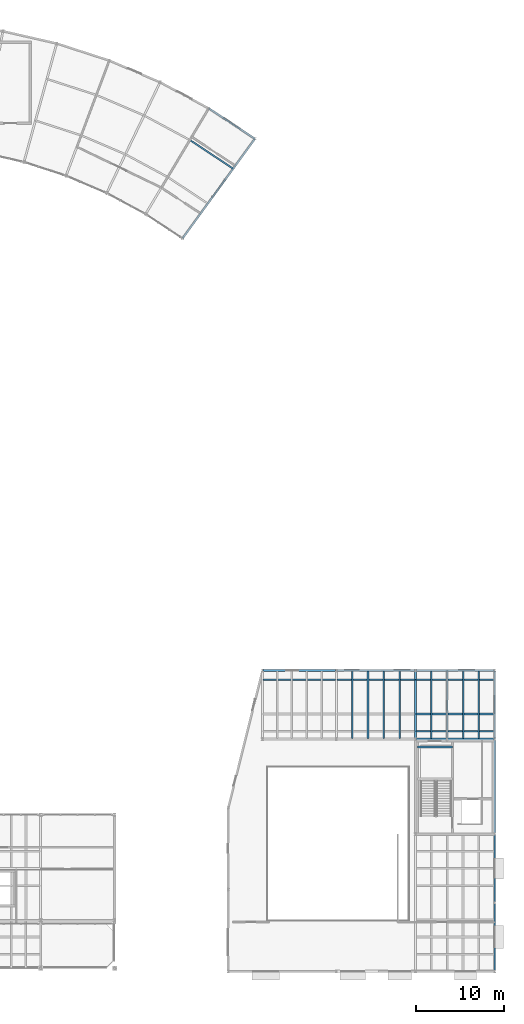
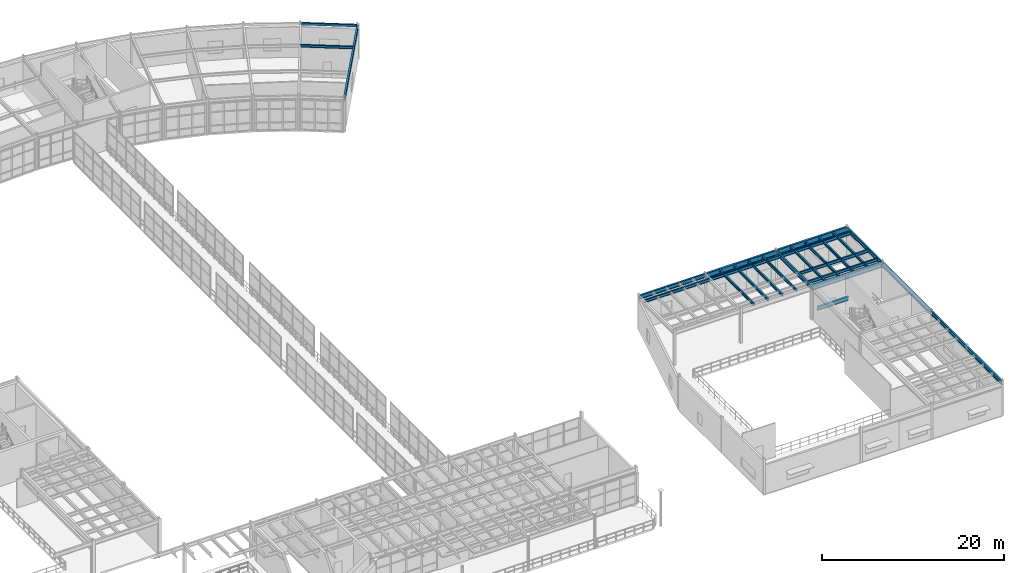
# One storey, part 71 of 105: 26 beams.
"""IFC4 building model written with IfcOpenShell, lengths in metres."""

import ifcopenshell
import ifcopenshell.guid

model = None  # the IFC model being written
_history = None  # IfcOwnerHistory: only IFC2X3 demands one
_inside = {}  # id of a spatial element -> (the spatial element, [elements in it])
_under = {}  # id of a project, library or spatial element -> (it, [spatial elements below it])
_declared = {}  # id of a project -> (the project, [libraries it declares])
_typed = {}  # id of a type object -> (the type object, [elements of that type])
_made_of = {}  # id of a material, layer set ... -> (it, [elements and type objects made of it])


def new_model(schema):
    """Start an empty IFC model of exactly this schema.

    Asked for "IFC4X3", IfcOpenShell would pick the latest addendum, in which some entities
    have other attributes; the version numbers below select the first issue.
    IFC2X3 requires an IfcOwnerHistory on every rooted entity: one is made here for all.
    """
    global model, _history
    if schema == "IFC4X3":
        model = ifcopenshell.file(schema_version=(4, 3, 0, 0))
    else:
        model = ifcopenshell.file(schema=schema)
    _inside.clear()
    _under.clear()
    _declared.clear()
    _typed.clear()
    _made_of.clear()
    _history = None
    if model.schema == "IFC2X3":
        org = make("IfcOrganization", Name="unknown")
        user = make(
            "IfcPersonAndOrganization",
            ThePerson=make("IfcPerson", FamilyName="unknown"),
            TheOrganization=org,
        )
        app = make(
            "IfcApplication",
            ApplicationDeveloper=org,
            Version="unknown",
            ApplicationFullName="unknown",
            ApplicationIdentifier="unknown",
        )
        _history = make(
            "IfcOwnerHistory",
            OwningUser=user,
            OwningApplication=app,
            ChangeAction="ADDED",
            CreationDate=0,
        )
    return model


def make(cls, **values):
    """One entity of the class cls with the attributes given. An attribute that is None is left unset."""
    return model.create_entity(
        cls, **{name: value for name, value in values.items() if value is not None}
    )


def rooted(cls, **values):
    """An entity with a GlobalId (a new one), such as an element, a storey or a relation."""
    return make(cls, GlobalId=ifcopenshell.guid.new(), OwnerHistory=_history, **values)


def si_unit(unit_type, name, prefix=None):
    """IfcSIUnit, for example si_unit("LENGTHUNIT", "METRE", prefix="MILLI")."""
    return make("IfcSIUnit", UnitType=unit_type, Prefix=prefix, Name=name)


def assignment(units):
    """IfcUnitAssignment: the units of a project."""
    return None if units is None else make("IfcUnitAssignment", Units=units)


def point(xyz):
    """IfcCartesianPoint."""
    return None if xyz is None else make("IfcCartesianPoint", Coordinates=xyz)


def direction(xyz):
    """IfcDirection."""
    return None if xyz is None else make("IfcDirection", DirectionRatios=xyz)


def frame(location, z_axis=None, x_axis=None):
    """IfcAxis2Placement3D, a coordinate frame: its origin and axes. An axis left out is left unset."""
    return make(
        "IfcAxis2Placement3D",
        Location=point(location),
        Axis=direction(z_axis),
        RefDirection=direction(x_axis),
    )


def frame_2d(location, x_axis=None):
    """IfcAxis2Placement2D, a coordinate frame in the plane: its origin and x axis."""
    return make(
        "IfcAxis2Placement2D", Location=point(location), RefDirection=direction(x_axis)
    )


def origin():
    """The frame at (0, 0, 0) with its axes left unset."""
    return frame((0.0, 0.0, 0.0))


def origin_2d():
    """The frame at (0, 0) in the plane with its x axis left unset."""
    return frame_2d((0.0, 0.0))


def place(relative_to, where):
    """IfcLocalPlacement: puts the frame where relative to a parent placement (None: the world)."""
    return make(
        "IfcLocalPlacement", PlacementRelTo=relative_to, RelativePlacement=where
    )


def context(
    kind, dimensions, precision=None, world=None, true_north=None, identifier=None
):
    """IfcGeometricRepresentationContext, for example the 3D "Model" context."""
    return make(
        "IfcGeometricRepresentationContext",
        ContextIdentifier=identifier,
        ContextType=kind,
        CoordinateSpaceDimension=dimensions,
        Precision=precision,
        WorldCoordinateSystem=world,
        TrueNorth=true_north,
    )


def subcontext(parent, identifier, kind, view, scale=None):
    """IfcGeometricRepresentationSubContext, for example "Body" below "Model"."""
    return make(
        "IfcGeometricRepresentationSubContext",
        ContextIdentifier=identifier,
        ContextType=kind,
        ParentContext=parent,
        TargetScale=scale,
        TargetView=view,
    )


def project(units=None, contexts=None):
    """IfcProject with its units and contexts."""
    return rooted(
        "IfcProject",
        Name="project",
        RepresentationContexts=contexts,
        UnitsInContext=assignment(units),
    )


def spatial(cls, under=None, at=None, **own):
    """A site, building, storey or space (cls), placed at a placement, below another one or the project."""
    s = rooted(cls, ObjectPlacement=at, **own)
    if under is not None:
        _under.setdefault(under.id(), (under, []))[1].append(s)
    return s


def profile(cls, at=None, kind="AREA", **sizes):
    """A parametric profile (cls). Its sizes go by their IFC names, for example OverallWidth=200.0."""
    return make(cls, ProfileType=kind, Position=at, **sizes)


def hollow_rectangle(**sizes):
    """IfcRectangleHollowProfileDef."""
    return profile("IfcRectangleHollowProfileDef", **sizes)


def i_section(**sizes):
    """IfcIShapeProfileDef."""
    return profile("IfcIShapeProfileDef", **sizes)


def extrude(swept, where, along, depth):
    """IfcExtrudedAreaSolid: the profile swept, set in the frame where, extruded along a direction by depth."""
    return make(
        "IfcExtrudedAreaSolid",
        SweptArea=swept,
        Position=where,
        ExtrudedDirection=direction(along),
        Depth=depth,
    )


def shape(context_of_items, identifier, shape_type, items):
    """IfcShapeRepresentation: the items that make up one representation, for example the "Body"."""
    return make(
        "IfcShapeRepresentation",
        ContextOfItems=context_of_items,
        RepresentationIdentifier=identifier,
        RepresentationType=shape_type,
        Items=items,
    )


def material(Name=None, Category=None):
    """IfcMaterial."""
    return make("IfcMaterial", Name=Name, Category=Category)


def material_profile(
    of_material, cross_section, Name=None, Category=None, Priority=None
):
    """IfcMaterialProfile: a cross section and its material."""
    return make(
        "IfcMaterialProfile",
        Name=Name,
        Material=of_material,
        Profile=cross_section,
        Priority=Priority,
        Category=Category,
    )


def profile_set(profiles, Name=None, composite=None):
    """IfcMaterialProfileSet."""
    return make(
        "IfcMaterialProfileSet",
        Name=Name,
        MaterialProfiles=profiles,
        CompositeProfile=composite,
    )


def made_of(thing, what):
    """Note that an element or type object is made of a material, layer set ...; save() writes the relation."""
    if what is not None:
        _made_of.setdefault(what.id(), (what, []))[1].append(thing)
    return thing


def type_object(cls, material=None, **own):
    """A type object (cls), such as IfcWallType, which elements share."""
    return made_of(rooted(cls, **own), material)


def element(
    cls,
    number,
    at=None,
    inside=None,
    cuts=None,
    type_object=None,
    material=None,
    context=None,
    identifier="Body",
    shape_type=None,
    held_by="IfcProductDefinitionShape",
    body=None,
    shapes=None,
    **own,
):
    """One element of the class cls, such as IfcWall. Its Tag is "e" and its number.

    at: its placement. inside: the storey or other place that contains it. cuts: it is an
    opening in that element (IfcRelVoidsElement). A single representation is given by context,
    identifier, shape_type and body (its items); several are given by shapes. held_by: the class
    of the entity that holds the representations. save() writes the other relations.
    """
    e = rooted(cls, Tag="e%d" % number, ObjectPlacement=at, **own)
    if body is not None:
        shapes = [shape(context, identifier, shape_type, body)]
    if shapes is not None:
        e.Representation = make(held_by, Representations=shapes)
    if inside is not None:
        _inside.setdefault(inside.id(), (inside, []))[1].append(e)
    if cuts is not None:
        rooted(
            "IfcRelVoidsElement", RelatingBuildingElement=cuts, RelatedOpeningElement=e
        )
    if type_object is not None:
        _typed.setdefault(type_object.id(), (type_object, []))[1].append(e)
    return made_of(e, material)


def aggregate(whole, parts):
    """IfcRelAggregates: a whole, such as a stair, and the parts it consists of."""
    return rooted("IfcRelAggregates", RelatingObject=whole, RelatedObjects=parts)


def save(model, path):
    """Write the relations noted so far, then the file.

    IfcRelAggregates (storeys below a building ...), IfcRelContainedInSpatialStructure (elements
    in a storey), IfcRelDefinesByType, IfcRelAssociatesMaterial and IfcRelDeclares: one each for
    every whole, place, type object, material and project.
    """
    for whole, parts in _under.values():
        aggregate(whole, parts)
    for where, things in _inside.values():
        rooted(
            "IfcRelContainedInSpatialStructure",
            RelatedElements=things,
            RelatingStructure=where,
        )
    for kind, things in _typed.values():
        rooted("IfcRelDefinesByType", RelatedObjects=things, RelatingType=kind)
    for what, things in _made_of.values():
        rooted("IfcRelAssociatesMaterial", RelatedObjects=things, RelatingMaterial=what)
    for by, libraries in _declared.values():
        rooted("IfcRelDeclares", RelatingContext=by, RelatedDefinitions=libraries)
    model.write(path)


model = new_model("IFC4")

# Units and contexts
model_context = context("Model", 3, precision=1e-05, world=origin(), true_north=direction((0.0, 1.0)))
body_context = subcontext(model_context, "Body", "Model", "MODEL_VIEW")
ifc_project = project(units=[si_unit("LENGTHUNIT", "METRE"), si_unit("AREAUNIT", "SQUARE_METRE"), si_unit("VOLUMEUNIT", "CUBIC_METRE"), si_unit("PLANEANGLEUNIT", "RADIAN"), si_unit("MASSUNIT", "GRAM", prefix="KILO")], contexts=[model_context])

# Site, building, storey
site_placement = place(None, origin())
site = spatial("IfcSite", under=ifc_project, at=site_placement, CompositionType="ELEMENT")
building_placement = place(site_placement, origin())
building = spatial("IfcBuilding", under=site, at=building_placement, Name="Selat Folded Stagehouse", CompositionType="ELEMENT")
storey_placement = place(building_placement, frame((0.0, 0.0, 10.199951171875)))
storey = spatial("IfcBuildingStorey", under=building, at=storey_placement, Name="L02", CompositionType="ELEMENT", Elevation=10.199951171875)

# Beams
ifc_material = material(Name="Steel S355", Category="steel")
ifc_material_profile_1 = material_profile(ifc_material, i_section(OverallWidth=0.210693359375, OverallDepth=0.53955078125, WebThickness=0.01171875, FlangeThickness=0.018798828125, FilletRadius=0.0126953125, at=origin_2d()), Name="UKB 533x210x109")
ifc_profile_set_1 = profile_set([ifc_material_profile_1], Name="Steel S355")
beam_type_1 = type_object("IfcBeamType", Name="BM-GIRD-533x210x109", PredefinedType="BEAM", material=ifc_profile_set_1)
beam_1_placement = place(storey_placement, frame((151.800048828125, 26.466796875, 4.310302734375), z_axis=(0.0, 1.0, 0.0), x_axis=(-1.0, 0.0, 0.0)))
element("IfcBeam", 1, at=beam_1_placement, inside=storey, type_object=beam_type_1, Name="L02 primary y-girder 1075", PredefinedType="BEAM", context=body_context, shape_type="SweptSolid", body=[
    extrude(i_section(OverallWidth=0.210693359375, OverallDepth=0.53955078125, WebThickness=0.01171875, FlangeThickness=0.018798828125, FilletRadius=0.0126953125, at=origin_2d()), origin(), (0.0, 0.0, 1.0), 7.66650390625),
])
beam_2_placement = place(storey_placement, frame((160.800048828125, 0.066650390625, 4.310302734375), z_axis=(0.0, 1.0, 0.0), x_axis=(-1.0, 0.0, 0.0)))
element("IfcBeam", 2, at=beam_2_placement, inside=storey, type_object=beam_type_1, Name="L02 primary y-girder 1076", PredefinedType="BEAM", context=body_context, shape_type="SweptSolid", body=[
    extrude(i_section(OverallWidth=0.210693359375, OverallDepth=0.53955078125, WebThickness=0.01171875, FlangeThickness=0.018798828125, FilletRadius=0.0126953125, at=origin_2d()), origin(), (0.0, 0.0, 1.0), 7.666748046875),
])
for number, where, z_axis, x_axis, name in (
    (3, (160.800048828125, 7.86669921875, 4.310302734375), (0.0, 1.0, 0.0), (-1.0, 0.0, 0.0), "L02 primary y-girder 1077"),
    (4, (160.800048828125, 26.466796875, 4.310302734375), (0.0, 1.0, 0.0), (-1.0, 0.0, 0.0), "L02 primary y-girder 1079"),
):
    element("IfcBeam", number, at=place(storey_placement, frame(where, z_axis=z_axis, x_axis=x_axis)), inside=storey, type_object=beam_type_1, Name=name, PredefinedType="BEAM", context=body_context, shape_type="SweptSolid", body=[
        extrude(i_section(OverallWidth=0.210693359375, OverallDepth=0.53955078125, WebThickness=0.01171875, FlangeThickness=0.018798828125, FilletRadius=0.0126953125, at=origin_2d()), origin(), (0.0, 0.0, 1.0), 7.66650390625),
    ])
ifc_material_profile_2 = material_profile(ifc_material, i_section(OverallWidth=0.209228515625, OverallDepth=0.533203125, WebThickness=0.010009765625, FlangeThickness=0.015625, FilletRadius=0.0126953125, at=origin_2d()), Name="UKB 533x210x92")
ifc_profile_set_2 = profile_set([ifc_material_profile_2], Name="Steel S355")
beam_type_2 = type_object("IfcBeamType", Name="BM-GIRD-533x210x92", PredefinedType="BEAM", material=ifc_profile_set_2)
beam_3_placement = place(storey_placement, frame((134.466796875, 34.199951171875, 4.3134765625), z_axis=(1.0, 0.0, 0.0), x_axis=(0.0, 1.0, 0.0)))
element("IfcBeam", 5, at=beam_3_placement, inside=storey, type_object=beam_type_2, Name="L02 primary x-girder 1017", PredefinedType="BEAM", context=body_context, shape_type="SweptSolid", body=[
    extrude(i_section(OverallWidth=0.209228515625, OverallDepth=0.533203125, WebThickness=0.010009765625, FlangeThickness=0.015625, FilletRadius=0.0126953125, at=origin_2d()), origin(), (0.0, 0.0, 1.0), 8.2666015625),
])
beam_4_placement = place(storey_placement, frame((125.31591796875, 83.304931640625, 4.33349609375), z_axis=(0.587787980643, 0.809015012105, 0.0), x_axis=(-0.809015012105, 0.587787980643, 0.0)))
element("IfcBeam", 6, at=beam_4_placement, inside=storey, type_object=beam_type_2, Name="L02 curved rehearsal radial girder 15", PredefinedType="BEAM", context=body_context, shape_type="SweptSolid", body=[
    extrude(i_section(OverallWidth=0.209228515625, OverallDepth=0.533203125, WebThickness=0.010009765625, FlangeThickness=0.015625, FilletRadius=0.0126953125, at=origin_2d()), origin(), (0.0, 0.0, 1.0), 14.0),
])
beam_5_placement = place(storey_placement, frame((152.0, 25.5, 1.933349609375), z_axis=(1.0, 0.0, 0.0), x_axis=(0.0, 1.0, 0.0)))
element("IfcBeam", 7, at=beam_5_placement, inside=storey, type_object=beam_type_2, Name="L02 ST-04 landing support beam 2", PredefinedType="BEAM", context=body_context, shape_type="SweptSolid", body=[
    extrude(i_section(OverallWidth=0.209228515625, OverallDepth=0.533203125, WebThickness=0.010009765625, FlangeThickness=0.015625, FilletRadius=0.0126953125, at=origin_2d()), origin(), (0.0, 0.0, 1.0), 4.02001953125),
])
ifc_material_profile_3 = material_profile(ifc_material, i_section(OverallWidth=0.230224609375, OverallDepth=0.6171875, WebThickness=0.01318359375, FlangeThickness=0.022216796875, FilletRadius=0.0126953125, at=origin_2d()), Name="UKB 610x229x140")
ifc_profile_set_3 = profile_set([ifc_material_profile_3], Name="Steel S355")
beam_type_3 = type_object("IfcBeamType", Name="BM-GIRD-610x229x140", PredefinedType="BEAM", material=ifc_profile_set_3)
beam_6_placement = place(storey_placement, frame((160.800048828125, 15.666748046875, 4.271484375), z_axis=(0.0, 1.0, 0.0), x_axis=(-1.0, 0.0, 0.0)))
element("IfcBeam", 8, at=beam_6_placement, inside=storey, type_object=beam_type_3, Name="L02 primary y-girder 1078", PredefinedType="BEAM", context=body_context, shape_type="SweptSolid", body=[
    extrude(i_section(OverallWidth=0.230224609375, OverallDepth=0.6171875, WebThickness=0.01318359375, FlangeThickness=0.022216796875, FilletRadius=0.0126953125, at=origin_2d()), origin(), (0.0, 0.0, 1.0), 10.66650390625),
])
ifc_material_profile_4 = material_profile(ifc_material, i_section(OverallWidth=0.253662109375, OverallDepth=0.68359375, WebThickness=0.012451171875, FlangeThickness=0.01904296875, FilletRadius=0.01513671875, at=origin_2d()), Name="UKB 686x254x140")
ifc_profile_set_4 = profile_set([ifc_material_profile_4], Name="Steel S355")
beam_type_4 = type_object("IfcBeamType", Name="BM-GIRD-686x254x140", PredefinedType="BEAM", material=ifc_profile_set_4)
for number, where, z_axis, x_axis, name in (
    (9, (151.86669921875, 26.39990234375, 4.23828125), (1.0, 0.0, 0.0), (0.0, 1.0, 0.0), "L02 primary x-girder 1016"),
    (10, (142.86669921875, 34.199951171875, 4.23828125), (1.0, 0.0, 0.0), (0.0, 1.0, 0.0), "L02 primary x-girder 1018"),
    (11, (151.86669921875, 34.199951171875, 4.23828125), (1.0, 0.0, 0.0), (0.0, 1.0, 0.0), "L02 primary x-girder 1019"),
):
    element("IfcBeam", number, at=place(storey_placement, frame(where, z_axis=z_axis, x_axis=x_axis)), inside=storey, type_object=beam_type_4, Name=name, PredefinedType="BEAM", context=body_context, shape_type="SweptSolid", body=[
        extrude(i_section(OverallWidth=0.253662109375, OverallDepth=0.68359375, WebThickness=0.012451171875, FlangeThickness=0.01904296875, FilletRadius=0.01513671875, at=origin_2d()), origin(), (0.0, 0.0, 1.0), 8.86669921875),
    ])
ifc_material_profile_5 = material_profile(ifc_material, i_section(OverallWidth=0.17138671875, OverallDepth=0.35498046875, WebThickness=0.00732421875, FlangeThickness=0.011474609375, FilletRadius=0.01025390625, at=origin_2d()), Name="UKB 356x171x51")
ifc_profile_set_5 = profile_set([ifc_material_profile_5], Name="Steel S355")
beam_type_5 = type_object("IfcBeamType", Name="JST-356x171x51", PredefinedType="JOIST", material=ifc_profile_set_5)
for number, where, z_axis, x_axis, name in (
    (12, (144.60009765625, 26.48876953125, 4.402587890625), (0.0, 1.0, 0.0), (-1.0, 0.0, 0.0), "L02 secondary floor joist 1187"),
    (13, (146.39990234375, 26.48876953125, 4.402587890625), (0.0, 1.0, 0.0), (-1.0, 0.0, 0.0), "L02 secondary floor joist 1188"),
    (14, (148.199951171875, 26.48876953125, 4.402587890625), (0.0, 1.0, 0.0), (-1.0, 0.0, 0.0), "L02 secondary floor joist 1189"),
    (15, (150.0, 26.48876953125, 4.402587890625), (0.0, 1.0, 0.0), (-1.0, 0.0, 0.0), "L02 secondary floor joist 1190"),
    (16, (153.60009765625, 26.48876953125, 4.402587890625), (0.0, 1.0, 0.0), (-1.0, 0.0, 0.0), "L02 secondary floor joist 1192"),
    (17, (155.39990234375, 26.48876953125, 4.402587890625), (0.0, 1.0, 0.0), (-1.0, 0.0, 0.0), "L02 secondary floor joist 1194"),
    (18, (157.199951171875, 26.48876953125, 4.402587890625), (0.0, 1.0, 0.0), (-1.0, 0.0, 0.0), "L02 secondary floor joist 1196"),
    (19, (159.0, 26.48876953125, 4.402587890625), (0.0, 1.0, 0.0), (-1.0, 0.0, 0.0), "L02 secondary floor joist 1198"),
):
    element("IfcBeam", number, at=place(storey_placement, frame(where, z_axis=z_axis, x_axis=x_axis)), inside=storey, type_object=beam_type_5, Name=name, PredefinedType="JOIST", context=body_context, shape_type="SweptSolid", body=[
        extrude(i_section(OverallWidth=0.17138671875, OverallDepth=0.35498046875, WebThickness=0.00732421875, FlangeThickness=0.011474609375, FilletRadius=0.01025390625, at=origin_2d()), origin(), (0.0, 0.0, 1.0), 7.622314453125),
    ])
beam_7_placement = place(storey_placement, frame((126.148681640625, 94.48583984375, 4.422607421875), z_axis=(0.834598760834, -0.550858337883, 0.0), x_axis=(0.550858337883, 0.834598760834, 0.0)))
element("IfcBeam", 20, at=beam_7_placement, inside=storey, type_object=beam_type_5, Name="L02 curved rehearsal secondary joist 14.2", PredefinedType="JOIST", context=body_context, shape_type="SweptSolid", body=[
    extrude(i_section(OverallWidth=0.17138671875, OverallDepth=0.35498046875, WebThickness=0.00732421875, FlangeThickness=0.011474609375, FilletRadius=0.01025390625, at=origin_2d()), origin(), (0.0, 0.0, 1.0), 5.904296875),
])
ifc_material_profile_6 = material_profile(ifc_material, i_section(OverallWidth=0.177978515625, OverallDepth=0.406494140625, WebThickness=0.0078125, FlangeThickness=0.0126953125, FilletRadius=0.01025390625, at=origin_2d()), Name="UKB 406x178x60")
ifc_profile_set_6 = profile_set([ifc_material_profile_6], Name="Steel S355")
beam_type_6 = type_object("IfcBeamType", Name="JST-406x178x60", PredefinedType="JOIST", material=ifc_profile_set_6)
for number, where, z_axis, x_axis, name in (
    (21, (151.873779296875, 27.300048828125, 4.376953125), (1.0, 0.0, 0.0), (0.0, 1.0, 0.0), "L02 secondary x-joist 1248"),
    (22, (151.873779296875, 29.25, 4.376953125), (1.0, 0.0, 0.0), (0.0, 1.0, 0.0), "L02 secondary x-joist 1252"),
):
    element("IfcBeam", number, at=place(storey_placement, frame(where, z_axis=z_axis, x_axis=x_axis)), inside=storey, type_object=beam_type_6, Name=name, PredefinedType="JOIST", context=body_context, shape_type="SweptSolid", body=[
        extrude(i_section(OverallWidth=0.177978515625, OverallDepth=0.406494140625, WebThickness=0.0078125, FlangeThickness=0.0126953125, FilletRadius=0.01025390625, at=origin_2d()), origin(), (0.0, 0.0, 1.0), 8.8525390625),
    ])
beam_8_placement = place(storey_placement, frame((134.473876953125, 33.14990234375, 4.376953125), z_axis=(1.0, 0.0, 0.0), x_axis=(0.0, 1.0, 0.0)))
element("IfcBeam", 23, at=beam_8_placement, inside=storey, type_object=beam_type_6, Name="L02 secondary x-joist 1254", PredefinedType="JOIST", context=body_context, shape_type="SweptSolid", body=[
    extrude(i_section(OverallWidth=0.177978515625, OverallDepth=0.406494140625, WebThickness=0.0078125, FlangeThickness=0.0126953125, FilletRadius=0.01025390625, at=origin_2d()), origin(), (0.0, 0.0, 1.0), 8.25244140625),
])
for number, where, z_axis, x_axis, name in (
    (24, (142.873779296875, 33.14990234375, 4.376953125), (1.0, 0.0, 0.0), (0.0, 1.0, 0.0), "L02 secondary x-joist 1255"),
    (25, (151.873779296875, 33.14990234375, 4.376953125), (1.0, 0.0, 0.0), (0.0, 1.0, 0.0), "L02 secondary x-joist 1256"),
):
    element("IfcBeam", number, at=place(storey_placement, frame(where, z_axis=z_axis, x_axis=x_axis)), inside=storey, type_object=beam_type_6, Name=name, PredefinedType="JOIST", context=body_context, shape_type="SweptSolid", body=[
        extrude(i_section(OverallWidth=0.177978515625, OverallDepth=0.406494140625, WebThickness=0.0078125, FlangeThickness=0.0126953125, FilletRadius=0.01025390625, at=origin_2d()), origin(), (0.0, 0.0, 1.0), 8.8525390625),
    ])
ifc_material_profile_7 = material_profile(ifc_material, hollow_rectangle(XDim=0.199951171875, YDim=0.300048828125, WallThickness=0.012451171875, at=origin_2d()), Name="RHS 300x200x12.5")
ifc_profile_set_7 = profile_set([ifc_material_profile_7], Name="Steel S355")
beam_type_7 = type_object("IfcBeamType", Name="SPD-RHS-300x200", PredefinedType="SPANDREL", material=ifc_profile_set_7)
beam_9_placement = place(storey_placement, frame((128.302978515625, 98.09130859375, 4.449951171875), z_axis=(0.834571163011, -0.550900148729, 0.0), x_axis=(0.550900148729, 0.834571163011, 0.0)))
element("IfcBeam", 26, at=beam_9_placement, inside=storey, type_object=beam_type_7, Name="L02 outer curved rehearsal spandrel 14", PredefinedType="SPANDREL", context=body_context, shape_type="SweptSolid", body=[
    extrude(hollow_rectangle(XDim=0.199951171875, YDim=0.300048828125, WallThickness=0.012451171875, at=origin_2d()), origin(), (0.0, 0.0, 1.0), 6.281005859375),
])

save(model, "model.ifc")
